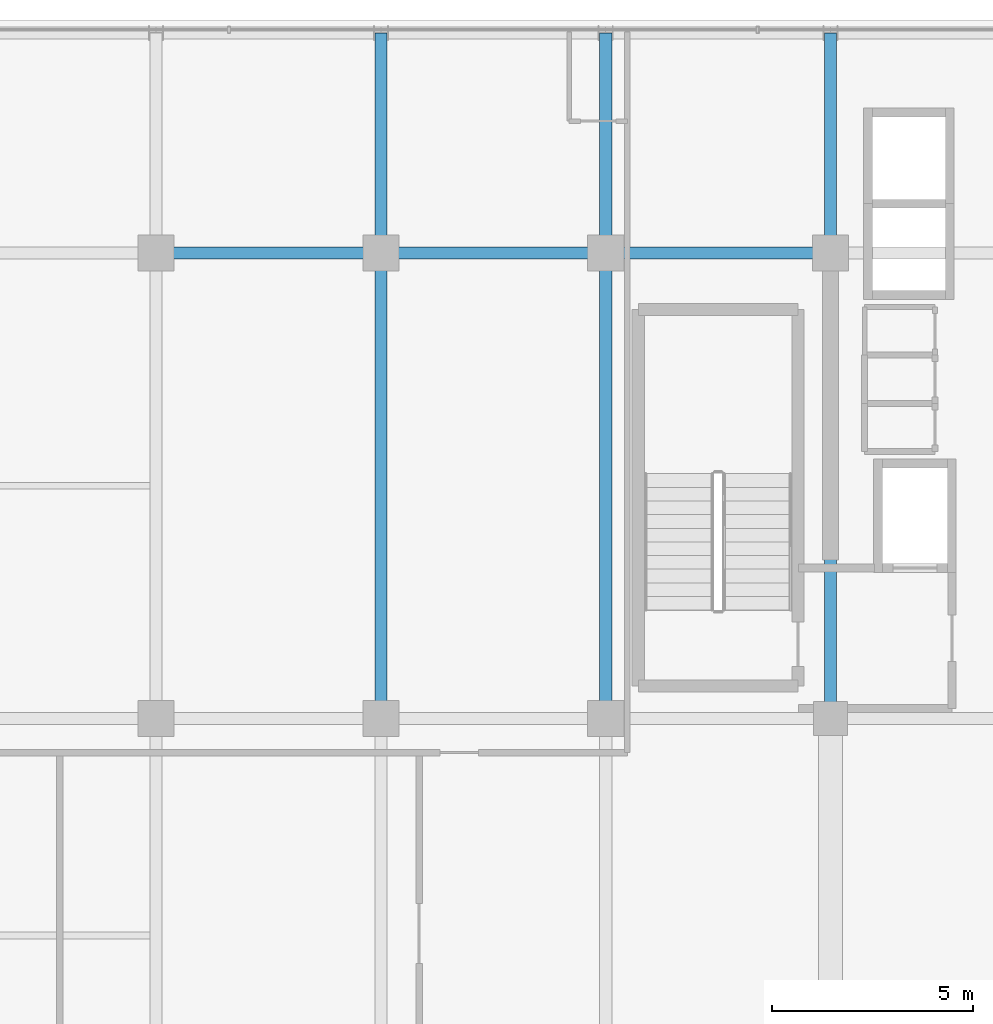
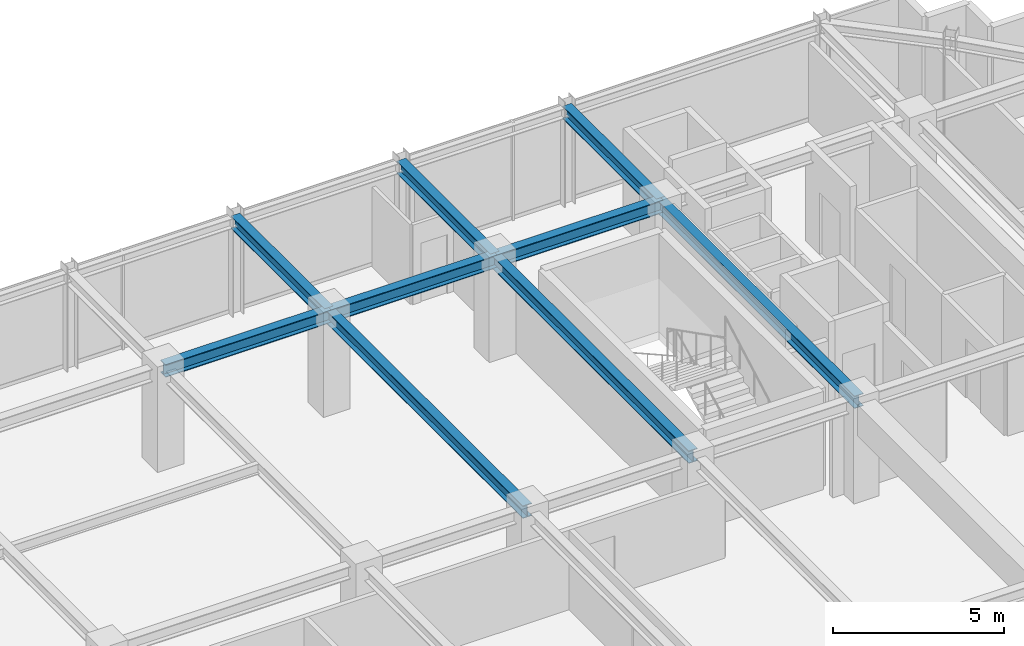
# One storey, part 18 of 33: 9 beams.
"""IFC4 building model written with IfcOpenShell, lengths in metres."""

from ifc_helpers import new_model, si_unit, direction, frame, origin, origin_2d, place, context, subcontext, project, spatial, i_section, extrude, source, transform, mapped, material, material_profile, profile_set, type_object, element, save


model = new_model("IFC4")

# Units and contexts
model_context = context("Model", 3, precision=1e-05, world=origin(), true_north=direction((0.0, 1.0)))
body_context = subcontext(model_context, "Body", "Model", "MODEL_VIEW")
ifc_project = project(units=[si_unit("LENGTHUNIT", "METRE"), si_unit("AREAUNIT", "SQUARE_METRE"), si_unit("VOLUMEUNIT", "CUBIC_METRE"), si_unit("PLANEANGLEUNIT", "RADIAN"), si_unit("MASSUNIT", "GRAM", prefix="KILO")], contexts=[model_context])

# Site, building, storey
site_placement = place(None, origin())
site = spatial("IfcSite", under=ifc_project, at=site_placement, CompositionType="ELEMENT")
building_placement = place(site_placement, origin())
building = spatial("IfcBuilding", under=site, at=building_placement, Name="Nahalor Promenade Grand Hotel", CompositionType="ELEMENT")
storey_placement = place(building_placement, frame((0.0, 0.0, 315.75)))
storey = spatial("IfcBuildingStorey", under=building, at=storey_placement, Name="L81", CompositionType="ELEMENT", Elevation=315.75)

# Beams
ifc_material = material(Name="Steel S355JR", Category="steel")
ifc_material_profile = material_profile(ifc_material, i_section(OverallWidth=0.3, OverallDepth=0.45, WebThickness=0.014, FlangeThickness=0.026, at=origin_2d()), Name="HEB 450")
ifc_profile_set = profile_set([ifc_material_profile], Name="Steel S355JR")
beam_type = type_object("IfcBeamType", Name="Beam-Girder-HEB450", PredefinedType="BEAM", material=ifc_profile_set)
shared_shape_1 = source(origin(), body_context, "Body", "SweptSolid", [
    extrude(i_section(OverallWidth=0.3, OverallDepth=0.45, WebThickness=0.014, FlangeThickness=0.026, at=origin_2d()), origin(), (0.0, 0.0, 1.0), 5.599853515625),
])
for number, where, z_axis, x_axis, name in (
    (1, (-8.39990234375, 17.0, 3.27490234375), (1.0, 0.0, 0.0), (0.0, 1.0, 0.0), "BM-L81-GX-3-2"),
    (2, (2.800048828125, 17.0, 3.27490234375), (1.0, 0.0, 0.0), (0.0, 1.0, 0.0), "BM-L81-GX-3-4"),
):
    element("IfcBeam", number, at=place(storey_placement, frame(where, z_axis=z_axis, x_axis=x_axis)), inside=storey, type_object=beam_type, Name=name, PredefinedType="BEAM", context=body_context, shape_type="MappedRepresentation", body=[
        mapped(shared_shape_1, transform((0.0, 0.0, 0.0), scale=1.0)),
    ])
shared_shape_2 = source(origin(), body_context, "Body", "SweptSolid", [
    extrude(i_section(OverallWidth=0.3, OverallDepth=0.45, WebThickness=0.014, FlangeThickness=0.026, at=origin_2d()), origin(), (0.0, 0.0, 1.0), 5.60009765625),
])
beam_placement = place(storey_placement, frame((-2.800048828125, 17.0, 3.27490234375), z_axis=(1.0, 0.0, 0.0), x_axis=(0.0, 1.0, 0.0)))
element("IfcBeam", 3, at=beam_placement, inside=storey, type_object=beam_type, Name="BM-L81-GX-3-3", PredefinedType="BEAM", context=body_context, shape_type="MappedRepresentation", body=[
    mapped(shared_shape_2, transform((0.0, 0.0, 0.0), scale=1.0)),
])
shared_shape_3 = source(origin(), body_context, "Body", "SweptSolid", [
    extrude(i_section(OverallWidth=0.3, OverallDepth=0.45, WebThickness=0.014, FlangeThickness=0.026, at=origin_2d()), origin(), (0.0, 0.0, 1.0), 11.60009765625),
])
for number, where, z_axis, x_axis, name in (
    (4, (-2.800048828125, 5.39990234375, 3.27490234375), (0.0, 1.0, 0.0), (-1.0, 0.0, 0.0), "BM-L81-GY-2-3"),
    (5, (2.800048828125, 5.39990234375, 3.27490234375), (0.0, 1.0, 0.0), (-1.0, 0.0, 0.0), "BM-L81-GY-3-3"),
    (6, (8.39990234375, 5.39990234375, 3.27490234375), (0.0, 1.0, 0.0), (-1.0, 0.0, 0.0), "BM-L81-GY-4-3"),
):
    element("IfcBeam", number, at=place(storey_placement, frame(where, z_axis=z_axis, x_axis=x_axis)), inside=storey, type_object=beam_type, Name=name, PredefinedType="BEAM", context=body_context, shape_type="MappedRepresentation", body=[
        mapped(shared_shape_3, transform((0.0, 0.0, 0.0), scale=1.0)),
    ])
shared_shape_4 = source(origin(), body_context, "Body", "SweptSolid", [
    extrude(i_section(OverallWidth=0.3, OverallDepth=0.45, WebThickness=0.014, FlangeThickness=0.026, at=origin_2d()), origin(), (0.0, 0.0, 1.0), 5.47998046875),
])
for number, where, z_axis, x_axis, name in (
    (7, (-2.800048828125, 17.0, 3.27490234375), (0.0, 1.0, 0.0), (-1.0, 0.0, 0.0), "BM-L81-GY-2-4"),
    (8, (2.800048828125, 17.0, 3.27490234375), (0.0, 1.0, 0.0), (-1.0, 0.0, 0.0), "BM-L81-GY-3-4"),
    (9, (8.39990234375, 17.0, 3.27490234375), (0.0, 1.0, 0.0), (-1.0, 0.0, 0.0), "BM-L81-GY-4-4"),
):
    element("IfcBeam", number, at=place(storey_placement, frame(where, z_axis=z_axis, x_axis=x_axis)), inside=storey, type_object=beam_type, Name=name, PredefinedType="BEAM", context=body_context, shape_type="MappedRepresentation", body=[
        mapped(shared_shape_4, transform((0.0, 0.0, 0.0), scale=1.0)),
    ])

save(model, "model.ifc")
